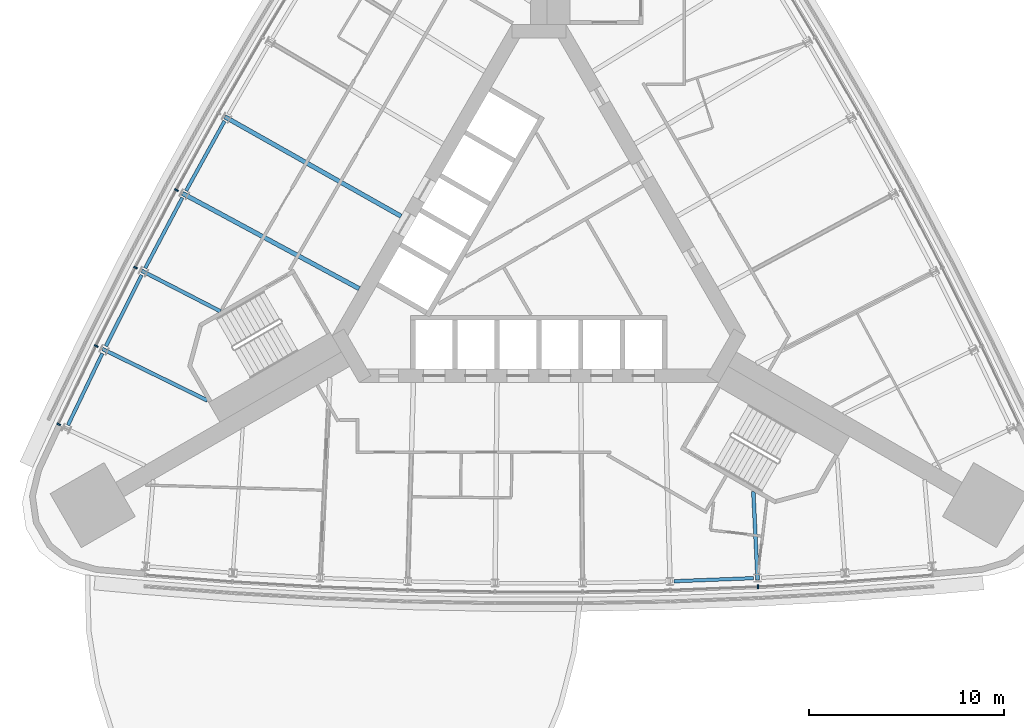
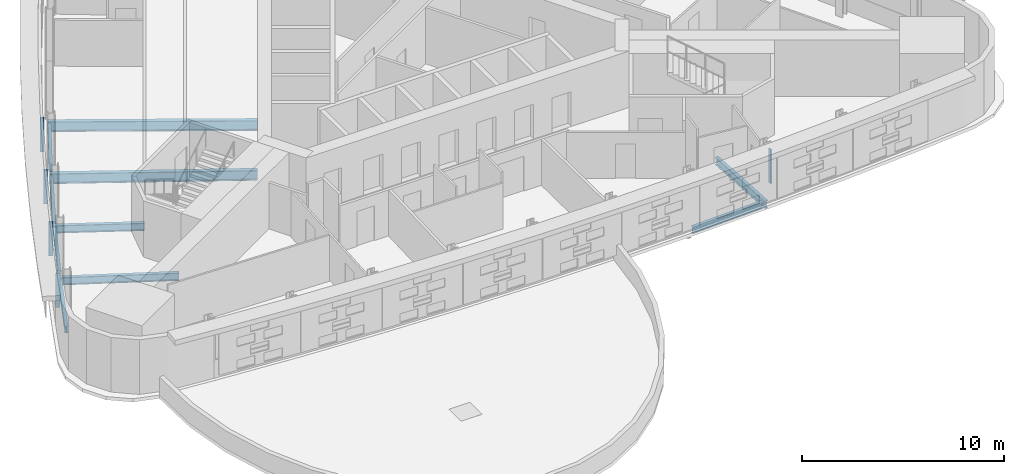
# One storey, part 4 of 15: 10 beams, 5 members, 2 elements without a shape of their own.
"""IFC4 building model written with IfcOpenShell, lengths in metres."""

from ifc_helpers import new_model, si_unit, direction, frame, origin, origin_2d, place, context, subcontext, project, spatial, rectangle, i_section, extrude, material, material_profile, profile_set, type_object, element, aggregate, save


model = new_model("IFC4")

# Units and contexts
model_context = context("Model", 3, precision=1e-05, world=origin(), true_north=direction((0.0, 1.0)))
body_context = subcontext(model_context, "Body", "Model", "MODEL_VIEW")
ifc_project = project(units=[si_unit("LENGTHUNIT", "METRE"), si_unit("AREAUNIT", "SQUARE_METRE"), si_unit("VOLUMEUNIT", "CUBIC_METRE"), si_unit("PLANEANGLEUNIT", "RADIAN"), si_unit("MASSUNIT", "GRAM", prefix="KILO")], contexts=[model_context])

# Site, building, storey
site_placement = place(None, origin())
site = spatial("IfcSite", under=ifc_project, at=site_placement, CompositionType="ELEMENT")
building_placement = place(site_placement, origin())
building = spatial("IfcBuilding", under=site, at=building_placement, Name="Noor Cloister Tower", CompositionType="ELEMENT")
storey_placement = place(building_placement, frame((0.0, 0.0, 69.0)))
storey = spatial("IfcBuildingStorey", under=building, at=storey_placement, Name="L17", CompositionType="ELEMENT", Elevation=69.0)

# Curtain wall, members
ifc_material_1 = material(Name="Aluminium 6063-T6 anodised", Category="aluminium")
curtain_wall_type = type_object("IfcCurtainWallType", Name="Ribbon curtain wall, lower tower CW1", PredefinedType="NOTDEFINED", material=ifc_material_1)
curtain_wall_1_placement = place(storey_placement, origin())
curtain_wall_1 = element("IfcCurtainWall", 1, at=curtain_wall_1_placement, inside=storey, type_object=curtain_wall_type, Name="CW1 L17 NW run 1", PredefinedType="NOTDEFINED")
ifc_material_2 = material(Name="Aluminium 6063-T6 anodised", Category="aluminium")
ifc_material_profile_1 = material_profile(ifc_material_2, rectangle(XDim=0.199951171875, YDim=0.080078125, at=origin_2d()), Name="200 x 80 mullion")
ifc_profile_set_1 = profile_set([ifc_material_profile_1], Name="Aluminium 6063-T6 anodised")
member_type = type_object("IfcMemberType", Name="Mullion CW1 80 x 200", PredefinedType="MULLION", material=ifc_profile_set_1)
member_1_placement = place(storey_placement, frame((-18.59912109375, 2.948486328125, 1.10009765625), z_axis=(0.0, 0.0, 1.0), x_axis=(0.880130014741, -0.474732721805, 0.0)))
member_1 = element("IfcMember", 2, at=member_1_placement, type_object=member_type, Name="CW1 mullion 7", PredefinedType="MULLION", context=body_context, shape_type="SweptSolid", body=[
    extrude(rectangle(XDim=0.199951171875, YDim=0.080078125, at=origin_2d()), origin(), (0.0, 0.0, 1.0), 2.0498046875),
])
member_2_placement = place(storey_placement, frame((-20.6962890625, -1.03076171875, 1.10009765625), z_axis=(0.0, 0.0, 1.0), x_axis=(0.889124353798, -0.45766568965, 0.0)))
member_2 = element("IfcMember", 3, at=member_2_placement, type_object=member_type, Name="CW1 mullion 8", PredefinedType="MULLION", context=body_context, shape_type="SweptSolid", body=[
    extrude(rectangle(XDim=0.199951171875, YDim=0.080078125, at=origin_2d()), origin(), (0.0, 0.0, 1.0), 2.0498046875),
])
member_3_placement = place(storey_placement, frame((-22.716064453125, -5.0498046875, 1.10009765625), z_axis=(0.0, 0.0, 1.0), x_axis=(0.897787769336, -0.440428338361, 0.0)))
member_3 = element("IfcMember", 4, at=member_3_placement, type_object=member_type, Name="CW1 mullion 9", PredefinedType="MULLION", context=body_context, shape_type="SweptSolid", body=[
    extrude(rectangle(XDim=0.199951171875, YDim=0.080078125, at=origin_2d()), origin(), (0.0, 0.0, 1.0), 2.0498046875),
])
member_4_placement = place(storey_placement, frame((-24.641357421875, -9.07177734375, 1.10009765625), z_axis=(0.0, 0.0, 1.0), x_axis=(0.901994375203, -0.431747781814, 0.0)))
member_4 = element("IfcMember", 5, at=member_4_placement, type_object=member_type, Name="CW1 mullion 10", PredefinedType="MULLION", context=body_context, shape_type="SweptSolid", body=[
    extrude(rectangle(XDim=0.199951171875, YDim=0.080078125, at=origin_2d()), origin(), (0.0, 0.0, 1.0), 2.0498046875),
])
aggregate(curtain_wall_1, [member_1, member_2, member_3, member_4])

# Curtain wall, member
curtain_wall_2_placement = place(storey_placement, origin())
curtain_wall_2 = element("IfcCurtainWall", 6, at=curtain_wall_2_placement, inside=storey, type_object=curtain_wall_type, Name="CW1 L17 S run 2", PredefinedType="NOTDEFINED")
member_5_placement = place(storey_placement, frame((11.24072265625, -17.407958984375, 1.10009765625), z_axis=(0.0, 0.0, 1.0), x_axis=(-0.048212063221, 0.998837122338, 0.0)))
member_5 = element("IfcMember", 7, at=member_5_placement, type_object=member_type, Name="CW1 mullion 8", PredefinedType="MULLION", context=body_context, shape_type="SweptSolid", body=[
    extrude(rectangle(XDim=0.199951171875, YDim=0.080078125, at=origin_2d()), origin(), (0.0, 0.0, 1.0), 2.0498046875),
])
aggregate(curtain_wall_2, [member_5])

# Beams
ifc_material_3 = material(Name="Steel ASTM A992 Gr 50", Category="steel")
ifc_material_profile_2 = material_profile(ifc_material_3, i_section(OverallWidth=0.19091796875, OverallDepth=0.45703125, WebThickness=0.009033203125, FlangeThickness=0.014404296875, FilletRadius=0.01025390625, at=origin_2d()), Name="W460x74")
ifc_profile_set_2 = profile_set([ifc_material_profile_2], Name="Steel ASTM A992 Gr 50")
beam_type_1 = type_object("IfcBeamType", Name="Radial beam W460x74", PredefinedType="BEAM", material=ifc_profile_set_2)
beam_1_placement = place(storey_placement, frame((-20.38232421875, -1.1923828125, -0.428466796875), z_axis=(0.8891242411, -0.457665908592, 0.0), x_axis=(0.457665908592, 0.8891242411, 0.0)))
element("IfcBeam", 8, at=beam_1_placement, inside=storey, type_object=beam_type_1, Name="Radial beam NW 08 L17", PredefinedType="BEAM", context=body_context, shape_type="SweptSolid", body=[
    extrude(i_section(OverallWidth=0.19091796875, OverallDepth=0.45703125, WebThickness=0.009033203125, FlangeThickness=0.014404296875, FilletRadius=0.01025390625, at=origin_2d()), origin(), (0.0, 0.0, 1.0), 4.546142578125),
])
beam_2_placement = place(storey_placement, frame((-22.399169921875, -5.205322265625, -0.428466796875), z_axis=(0.897794266156, -0.440415094721, 0.0), x_axis=(0.440415094721, 0.897794266156, 0.0)))
element("IfcBeam", 9, at=beam_2_placement, inside=storey, type_object=beam_type_1, Name="Radial beam NW 09 L17", PredefinedType="BEAM", context=body_context, shape_type="SweptSolid", body=[
    extrude(i_section(OverallWidth=0.19091796875, OverallDepth=0.45703125, WebThickness=0.009033203125, FlangeThickness=0.014404296875, FilletRadius=0.01025390625, at=origin_2d()), origin(), (0.0, 0.0, 1.0), 6.001220703125),
])
beam_3_placement = place(storey_placement, frame((11.223876953125, -17.055419921875, -0.428466796875), z_axis=(-0.048225987002, 0.998836450165, 0.0), x_axis=(-0.998836450165, -0.048225987002, 0.0)))
element("IfcBeam", 10, at=beam_3_placement, inside=storey, type_object=beam_type_1, Name="Radial beam S 08 L17", PredefinedType="BEAM", context=body_context, shape_type="SweptSolid", body=[
    extrude(i_section(OverallWidth=0.19091796875, OverallDepth=0.45703125, WebThickness=0.009033203125, FlangeThickness=0.014404296875, FilletRadius=0.01025390625, at=origin_2d()), origin(), (0.0, 0.0, 1.0), 4.546142578125),
])
ifc_material_4 = material(Name="Steel ASTM A992 Gr 50", Category="steel")
ifc_material_profile_3 = material_profile(ifc_material_4, i_section(OverallWidth=0.22802734375, OverallDepth=0.60205078125, WebThickness=0.010498046875, FlangeThickness=0.014892578125, FilletRadius=0.0126953125, at=origin_2d()), Name="W610x101")
ifc_profile_set_3 = profile_set([ifc_material_profile_3], Name="Steel ASTM A992 Gr 50")
beam_type_2 = type_object("IfcBeamType", Name="Radial beam W610x101", PredefinedType="BEAM", material=ifc_profile_set_3)
beam_4_placement = place(storey_placement, frame((-16.118408203125, 6.712890625, -0.5009765625), z_axis=(0.870813111401, -0.491614203427, 0.0), x_axis=(0.491614203427, 0.870813111401, 0.0)))
element("IfcBeam", 11, at=beam_4_placement, inside=storey, type_object=beam_type_2, Name="Radial beam NW 06 L17", PredefinedType="BEAM", context=body_context, shape_type="SweptSolid", body=[
    extrude(i_section(OverallWidth=0.22802734375, OverallDepth=0.60205078125, WebThickness=0.010498046875, FlangeThickness=0.014892578125, FilletRadius=0.0126953125, at=origin_2d()), origin(), (0.0, 0.0, 1.0), 10.3876953125),
])
beam_5_placement = place(storey_placement, frame((-18.28857421875, 2.78076171875, -0.5009765625), z_axis=(0.880137671606, -0.474718526097, 0.0), x_axis=(0.474718526097, 0.880137671606, 0.0)))
element("IfcBeam", 12, at=beam_5_placement, inside=storey, type_object=beam_type_2, Name="Radial beam NW 07 L17", PredefinedType="BEAM", context=body_context, shape_type="SweptSolid", body=[
    extrude(i_section(OverallWidth=0.22802734375, OverallDepth=0.60205078125, WebThickness=0.010498046875, FlangeThickness=0.014892578125, FilletRadius=0.0126953125, at=origin_2d()), origin(), (0.0, 0.0, 1.0), 10.3046875),
])
ifc_material_5 = material(Name="Steel ASTM A992 Gr 50", Category="steel")
ifc_material_profile_4 = material_profile(ifc_material_5, i_section(OverallWidth=0.177978515625, OverallDepth=0.406005859375, WebThickness=0.0078125, FlangeThickness=0.0126953125, FilletRadius=0.01025390625, at=origin_2d()), Name="W410x60")
ifc_profile_set_4 = profile_set([ifc_material_profile_4], Name="Steel ASTM A992 Gr 50")
beam_type_3 = type_object("IfcBeamType", Name="Spandrel beam W410x60", PredefinedType="SPANDREL", material=ifc_profile_set_4)
beam_6_placement = place(storey_placement, frame((-16.131591796875, 6.48828125, -0.403076171875), z_axis=(-0.483180030896, -0.875521020732, 0.0), x_axis=(0.875521020732, -0.483180030896, 0.0)))
element("IfcBeam", 13, at=beam_6_placement, inside=storey, type_object=beam_type_3, Name="Spandrel beam NW 06 L17", PredefinedType="SPANDREL", context=body_context, shape_type="SweptSolid", body=[
    extrude(i_section(OverallWidth=0.177978515625, OverallDepth=0.406005859375, WebThickness=0.0078125, FlangeThickness=0.0126953125, FilletRadius=0.01025390625, at=origin_2d()), origin(), (0.0, 0.0, 1.0), 4.085205078125),
])
beam_7_placement = place(storey_placement, frame((-18.29736328125, 2.55615234375, -0.403076171875), z_axis=(-0.466187250384, -0.884686072898, 0.0), x_axis=(0.884686072898, -0.466187250384, 0.0)))
element("IfcBeam", 14, at=beam_7_placement, inside=storey, type_object=beam_type_3, Name="Spandrel beam NW 07 L17", PredefinedType="SPANDREL", context=body_context, shape_type="SweptSolid", body=[
    extrude(i_section(OverallWidth=0.177978515625, OverallDepth=0.406005859375, WebThickness=0.0078125, FlangeThickness=0.0126953125, FilletRadius=0.01025390625, at=origin_2d()), origin(), (0.0, 0.0, 1.0), 4.08544921875),
])
for number, where, z_axis, x_axis, name in (
    (15, (-20.38671875, -1.417236328125, -0.403076171875), (-0.449101034205, -0.893480979694, 0.0), (0.893480979694, -0.449101034205, 0.0), "Spandrel beam NW 08 L17"),
    (16, (-22.3994140625, -5.43017578125, -0.403076171875), (-0.431728272915, -0.902003713055, 0.0), (0.902003713055, -0.431728272915, 0.0), "Spandrel beam NW 09 L17"),
    (17, (6.93505859375, -17.1240234375, -0.403076171875), (0.999254539372, 0.038605252822, 0.0), (-0.038605252822, 0.999254539372, 0.0), "Spandrel beam S 07 L17"),
):
    element("IfcBeam", number, at=place(storey_placement, frame(where, z_axis=z_axis, x_axis=x_axis)), inside=storey, type_object=beam_type_3, Name=name, PredefinedType="SPANDREL", context=body_context, shape_type="SweptSolid", body=[
        extrude(i_section(OverallWidth=0.177978515625, OverallDepth=0.406005859375, WebThickness=0.0078125, FlangeThickness=0.0126953125, FilletRadius=0.01025390625, at=origin_2d()), origin(), (0.0, 0.0, 1.0), 4.085205078125),
    ])

save(model, "model.ifc")
